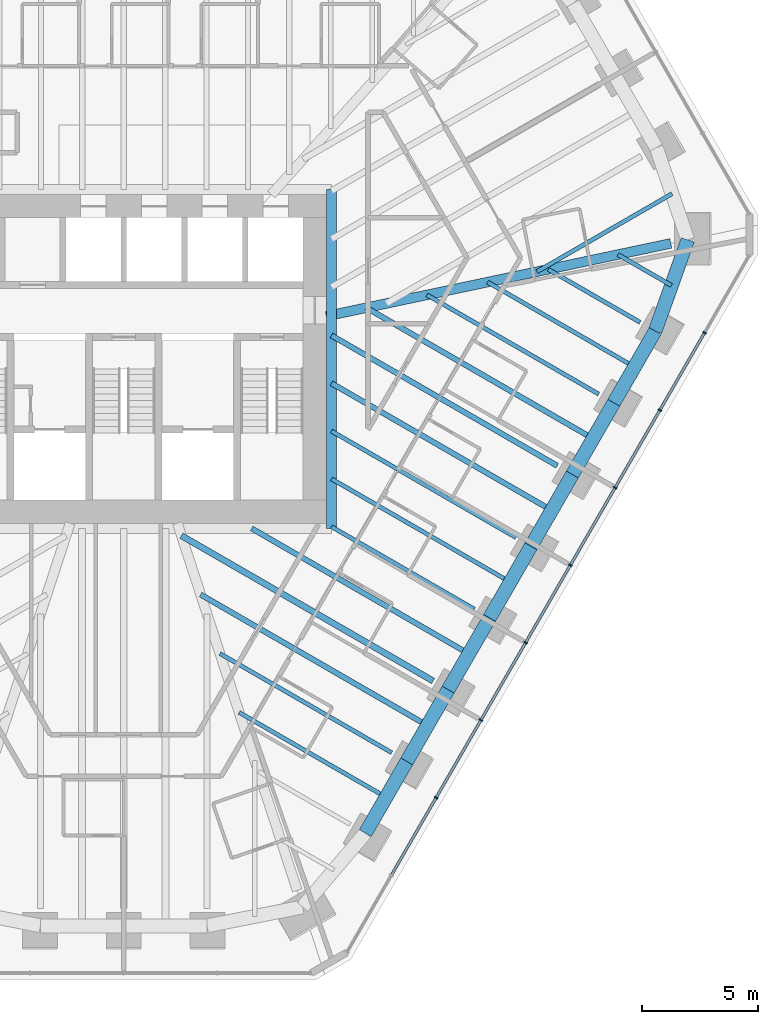
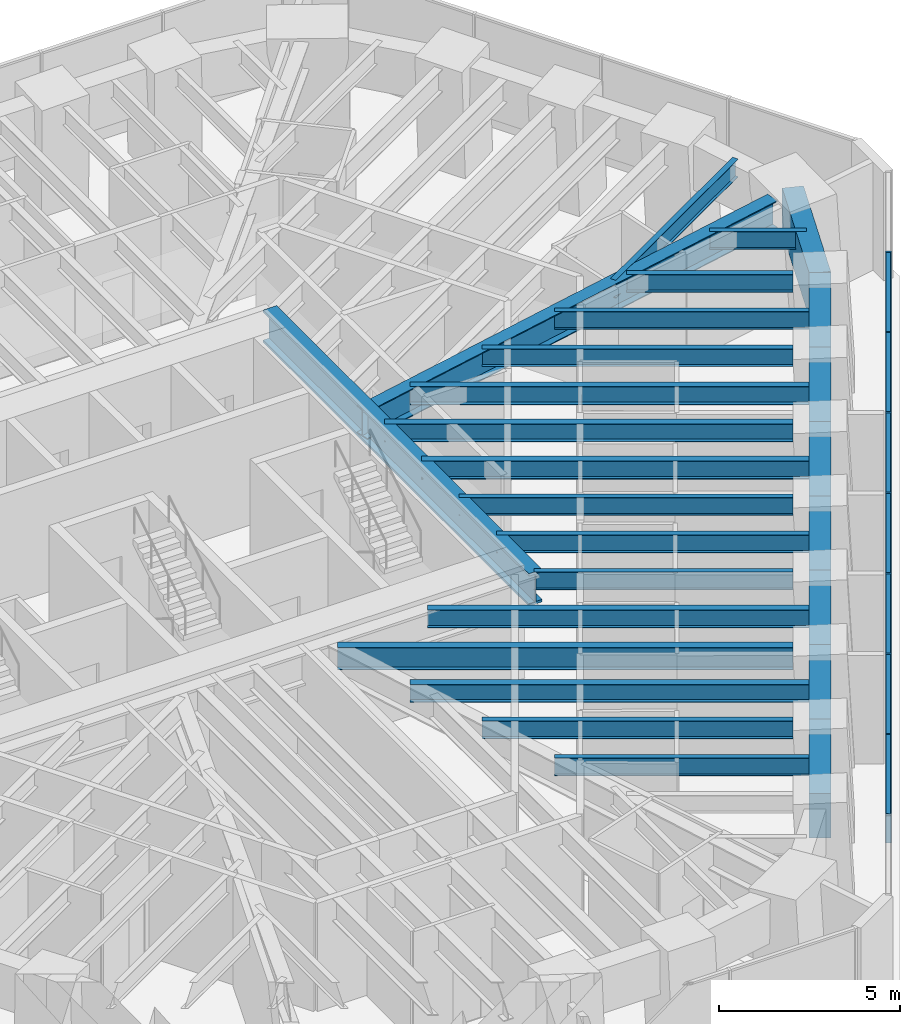
# One storey, part 5 of 17: 26 beams, 14 members, 1 element without a shape of its own.
"""IFC4 building model written with IfcOpenShell, lengths in metres."""

from ifc_helpers import new_model, si_unit, direction, frame, origin, origin_2d, place, context, subcontext, project, spatial, rectangle, i_section, extrude, material, material_profile, profile_set, type_object, element, aggregate, save


model = new_model("IFC4")

# Units and contexts
model_context = context("Model", 3, precision=1e-05, world=origin(), true_north=direction((0.0, 1.0)))
body_context = subcontext(model_context, "Body", "Model", "MODEL_VIEW")
ifc_project = project(units=[si_unit("LENGTHUNIT", "METRE"), si_unit("AREAUNIT", "SQUARE_METRE"), si_unit("VOLUMEUNIT", "CUBIC_METRE"), si_unit("PLANEANGLEUNIT", "RADIAN"), si_unit("MASSUNIT", "GRAM", prefix="KILO")], contexts=[model_context])

# Site, building, storey
site_placement = place(None, origin())
site = spatial("IfcSite", under=ifc_project, at=site_placement, CompositionType="ELEMENT")
building_placement = place(site_placement, origin())
building = spatial("IfcBuilding", under=site, at=building_placement, Name="Sandreach Pilgrim Tower", CompositionType="ELEMENT")
storey_placement = place(building_placement, frame((0.0, 0.0, 240.199951171875)))
storey = spatial("IfcBuildingStorey", under=building, at=storey_placement, Name="L60", CompositionType="ELEMENT", Elevation=240.199951171875)

# Curtain wall, members
ifc_material_1 = material(Name="Aluminium framed curtain wall", Category="aluminium")
curtain_wall_type = type_object("IfcCurtainWallType", Name="Upper hotel tower curtain wall", PredefinedType="NOTDEFINED", material=ifc_material_1)
curtain_wall_placement = place(storey_placement, origin())
curtain_wall = element("IfcCurtainWall", 1, at=curtain_wall_placement, inside=storey, type_object=curtain_wall_type, Name="CW-3 L60 SE", PredefinedType="NOTDEFINED")
ifc_material_2 = material(Name="Aluminium extrusion", Category="aluminium")
ifc_material_profile_1 = material_profile(ifc_material_2, rectangle(XDim=0.06494140625, YDim=0.159912109375, at=origin_2d()), Name="CW-3M 65X160")
ifc_profile_set_1 = profile_set([ifc_material_profile_1], Name="Aluminium extrusion")
member_type_1 = type_object("IfcMemberType", Name="CW-3 mullion", PredefinedType="MULLION", material=ifc_profile_set_1)
member_1_placement = place(storey_placement, frame((25.087890625, 1.13330078125, 0.0), z_axis=(0.0, 0.0, 1.0), x_axis=(-0.5, -0.866025403784, 0.0)))
member_1 = element("IfcMember", 2, at=member_1_placement, type_object=member_type_1, Name="CW-3 mullion 2", PredefinedType="MULLION", context=body_context, shape_type="SweptSolid", body=[
    extrude(rectangle(XDim=0.06494140625, YDim=0.159912109375, at=origin_2d()), origin(), (0.0, 0.0, 1.0), 3.64013671875),
])
member_2_placement = place(storey_placement, frame((23.15576171875, -2.21337890625, 0.0), z_axis=(0.0, 0.0, 1.0), x_axis=(-0.5, -0.866025403784, 0.0)))
member_2 = element("IfcMember", 3, at=member_2_placement, type_object=member_type_1, Name="CW-3 mullion 3", PredefinedType="MULLION", context=body_context, shape_type="SweptSolid", body=[
    extrude(rectangle(XDim=0.06494140625, YDim=0.159912109375, at=origin_2d()), origin(), (0.0, 0.0, 1.0), 3.64013671875),
])
member_3_placement = place(storey_placement, frame((21.223388671875, -5.56005859375, 0.0), z_axis=(0.0, 0.0, 1.0), x_axis=(-0.5, -0.866025403784, 0.0)))
member_3 = element("IfcMember", 4, at=member_3_placement, type_object=member_type_1, Name="CW-3 mullion 4", PredefinedType="MULLION", context=body_context, shape_type="SweptSolid", body=[
    extrude(rectangle(XDim=0.06494140625, YDim=0.159912109375, at=origin_2d()), origin(), (0.0, 0.0, 1.0), 3.64013671875),
])
member_4_placement = place(storey_placement, frame((19.291259765625, -8.90673828125, 0.0), z_axis=(0.0, 0.0, 1.0), x_axis=(-0.5, -0.866025403784, 0.0)))
member_4 = element("IfcMember", 5, at=member_4_placement, type_object=member_type_1, Name="CW-3 mullion 5", PredefinedType="MULLION", context=body_context, shape_type="SweptSolid", body=[
    extrude(rectangle(XDim=0.06494140625, YDim=0.159912109375, at=origin_2d()), origin(), (0.0, 0.0, 1.0), 3.64013671875),
])
member_5_placement = place(storey_placement, frame((17.359130859375, -12.25341796875, 0.0), z_axis=(0.0, 0.0, 1.0), x_axis=(-0.5, -0.866025403784, 0.0)))
member_5 = element("IfcMember", 6, at=member_5_placement, type_object=member_type_1, Name="CW-3 mullion 6", PredefinedType="MULLION", context=body_context, shape_type="SweptSolid", body=[
    extrude(rectangle(XDim=0.06494140625, YDim=0.159912109375, at=origin_2d()), origin(), (0.0, 0.0, 1.0), 3.64013671875),
])
member_6_placement = place(storey_placement, frame((15.4267578125, -15.60009765625, 0.0), z_axis=(0.0, 0.0, 1.0), x_axis=(-0.5, -0.866025403784, 0.0)))
member_6 = element("IfcMember", 7, at=member_6_placement, type_object=member_type_1, Name="CW-3 mullion 7", PredefinedType="MULLION", context=body_context, shape_type="SweptSolid", body=[
    extrude(rectangle(XDim=0.06494140625, YDim=0.159912109375, at=origin_2d()), origin(), (0.0, 0.0, 1.0), 3.64013671875),
])
member_7_placement = place(storey_placement, frame((13.49462890625, -18.94677734375, 0.0), z_axis=(0.0, 0.0, 1.0), x_axis=(-0.5, -0.866025403784, 0.0)))
member_7 = element("IfcMember", 8, at=member_7_placement, type_object=member_type_1, Name="CW-3 mullion 8", PredefinedType="MULLION", context=body_context, shape_type="SweptSolid", body=[
    extrude(rectangle(XDim=0.06494140625, YDim=0.159912109375, at=origin_2d()), origin(), (0.0, 0.0, 1.0), 3.64013671875),
])
ifc_material_3 = material(Name="Aluminium extrusion", Category="aluminium")
ifc_material_profile_2 = material_profile(ifc_material_3, rectangle(XDim=0.1201171875, YDim=0.070068359375, at=origin_2d()), Name="CW-3T 120X70")
ifc_profile_set_2 = profile_set([ifc_material_profile_2], Name="Aluminium extrusion")
member_type_2 = type_object("IfcMemberType", Name="CW-3 transom", PredefinedType="USERDEFINED", material=ifc_profile_set_2)
member_8_placement = place(storey_placement, frame((25.07177734375, 1.105224609375, 3.60498046875), z_axis=(-0.500022797313, -0.86601224135, 0.0), x_axis=(0.86601224135, -0.500022797313, 0.0)))
member_8 = element("IfcMember", 9, at=member_8_placement, type_object=member_type_2, Name="CW-3 head transom 2", ObjectType="TRANSOM", PredefinedType="USERDEFINED", context=body_context, shape_type="SweptSolid", body=[
    extrude(rectangle(XDim=0.1201171875, YDim=0.070068359375, at=origin_2d()), origin(), (0.0, 0.0, 1.0), 3.799560546875),
])
member_9_placement = place(storey_placement, frame((23.139404296875, -2.241455078125, 3.60498046875), z_axis=(-0.499974606132, -0.866040064445, 0.0), x_axis=(0.866040064445, -0.499974606132, 0.0)))
member_9 = element("IfcMember", 10, at=member_9_placement, type_object=member_type_2, Name="CW-3 head transom 3", ObjectType="TRANSOM", PredefinedType="USERDEFINED", context=body_context, shape_type="SweptSolid", body=[
    extrude(rectangle(XDim=0.1201171875, YDim=0.070068359375, at=origin_2d()), origin(), (0.0, 0.0, 1.0), 3.799560546875),
])
member_10_placement = place(storey_placement, frame((21.207275390625, -5.588134765625, 3.60498046875), z_axis=(-0.499974606132, -0.866040064445, 0.0), x_axis=(0.866040064445, -0.499974606132, 0.0)))
member_10 = element("IfcMember", 11, at=member_10_placement, type_object=member_type_2, Name="CW-3 head transom 4", ObjectType="TRANSOM", PredefinedType="USERDEFINED", context=body_context, shape_type="SweptSolid", body=[
    extrude(rectangle(XDim=0.1201171875, YDim=0.070068359375, at=origin_2d()), origin(), (0.0, 0.0, 1.0), 3.799560546875),
])
member_11_placement = place(storey_placement, frame((19.275146484375, -8.934814453125, 3.60498046875), z_axis=(-0.500022797313, -0.86601224135, 0.0), x_axis=(0.86601224135, -0.500022797313, 0.0)))
member_11 = element("IfcMember", 12, at=member_11_placement, type_object=member_type_2, Name="CW-3 head transom 5", ObjectType="TRANSOM", PredefinedType="USERDEFINED", context=body_context, shape_type="SweptSolid", body=[
    extrude(rectangle(XDim=0.1201171875, YDim=0.070068359375, at=origin_2d()), origin(), (0.0, 0.0, 1.0), 3.799560546875),
])
member_12_placement = place(storey_placement, frame((17.3427734375, -12.281494140625, 3.60498046875), z_axis=(-0.499974606132, -0.866040064445, 0.0), x_axis=(0.866040064445, -0.499974606132, 0.0)))
member_12 = element("IfcMember", 13, at=member_12_placement, type_object=member_type_2, Name="CW-3 head transom 6", ObjectType="TRANSOM", PredefinedType="USERDEFINED", context=body_context, shape_type="SweptSolid", body=[
    extrude(rectangle(XDim=0.1201171875, YDim=0.070068359375, at=origin_2d()), origin(), (0.0, 0.0, 1.0), 3.799560546875),
])
member_13_placement = place(storey_placement, frame((15.41064453125, -15.628173828125, 3.60498046875), z_axis=(-0.499974606132, -0.866040064445, 0.0), x_axis=(0.866040064445, -0.499974606132, 0.0)))
member_13 = element("IfcMember", 14, at=member_13_placement, type_object=member_type_2, Name="CW-3 head transom 7", ObjectType="TRANSOM", PredefinedType="USERDEFINED", context=body_context, shape_type="SweptSolid", body=[
    extrude(rectangle(XDim=0.1201171875, YDim=0.070068359375, at=origin_2d()), origin(), (0.0, 0.0, 1.0), 3.799560546875),
])
member_14_placement = place(storey_placement, frame((13.478515625, -18.974853515625, 3.60498046875), z_axis=(-0.500022797313, -0.86601224135, 0.0), x_axis=(0.86601224135, -0.500022797313, 0.0)))
member_14 = element("IfcMember", 15, at=member_14_placement, type_object=member_type_2, Name="CW-3 head transom 8", ObjectType="TRANSOM", PredefinedType="USERDEFINED", context=body_context, shape_type="SweptSolid", body=[
    extrude(rectangle(XDim=0.1201171875, YDim=0.070068359375, at=origin_2d()), origin(), (0.0, 0.0, 1.0), 3.799560546875),
])
aggregate(curtain_wall, [member_1, member_2, member_3, member_4, member_5, member_6, member_7, member_8, member_9, member_10, member_11, member_12, member_13, member_14])

# Beams
ifc_material_4 = material(Name="Steel ASTM A992 Grade 50", Category="steel")
ifc_material_profile_3 = material_profile(ifc_material_4, i_section(OverallWidth=0.424072265625, OverallDepth=1.09228515625, WebThickness=0.04541015625, FlangeThickness=0.08203125, at=origin_2d()), Name="W40X593")
ifc_profile_set_3 = profile_set([ifc_material_profile_3], Name="Steel ASTM A992 Grade 50")
beam_type_1 = type_object("IfcBeamType", Name="Core edge beam W40X593", PredefinedType="BEAM", material=ifc_profile_set_3)
beam_1_placement = place(storey_placement, frame((8.97216796875, 7.322021484375, 3.093994140625), z_axis=(0.0, -1.0, 0.0), x_axis=(1.0, 0.0, 0.0)))
element("IfcBeam", 16, at=beam_1_placement, inside=storey, type_object=beam_type_1, Name="BM L60 CEE", PredefinedType="BEAM", context=body_context, shape_type="SweptSolid", body=[
    extrude(i_section(OverallWidth=0.424072265625, OverallDepth=1.09228515625, WebThickness=0.04541015625, FlangeThickness=0.08203125, at=origin_2d()), origin(), (0.0, 0.0, 1.0), 14.64404296875),
])
ifc_material_5 = material(Name="Steel ASTM A992 Grade 50", Category="steel")
ifc_material_profile_4 = material_profile(ifc_material_5, i_section(OverallWidth=0.419189453125, OverallDepth=0.927001953125, WebThickness=0.019287109375, FlangeThickness=0.031982421875, at=origin_2d()), Name="W36X231")
ifc_profile_set_4 = profile_set([ifc_material_profile_4], Name="Steel ASTM A992 Grade 50")
beam_type_2 = type_object("IfcBeamType", Name="Corner girder W36X231", PredefinedType="BEAM", material=ifc_profile_set_4)
beam_2_placement = place(storey_placement, frame((23.628173828125, 4.98876953125, 3.176513671875), z_axis=(-0.978428839733, -0.206584136802, 0.0), x_axis=(0.206584136802, -0.978428839733, 0.0)))
element("IfcBeam", 17, at=beam_2_placement, inside=storey, type_object=beam_type_2, Name="BM L60 CG13", PredefinedType="BEAM", context=body_context, shape_type="SweptSolid", body=[
    extrude(i_section(OverallWidth=0.419189453125, OverallDepth=0.927001953125, WebThickness=0.019287109375, FlangeThickness=0.031982421875, at=origin_2d()), origin(), (0.0, 0.0, 1.0), 15.206298828125),
])
ifc_material_6 = material(Name="Steel ASTM A992 Grade 50", Category="steel")
ifc_material_profile_5 = material_profile(ifc_material_6, i_section(OverallWidth=0.1787109375, OverallDepth=0.60205078125, WebThickness=0.010986328125, FlangeThickness=0.014892578125, at=origin_2d()), Name="W24X62")
ifc_profile_set_5 = profile_set([ifc_material_profile_5], Name="Steel ASTM A992 Grade 50")
beam_type_3 = type_object("IfcBeamType", Name="Floor beam W24X62", PredefinedType="BEAM", material=ifc_profile_set_5)
beam_3_placement = place(storey_placement, frame((22.304443359375, 1.578369140625, 3.339111328125), z_axis=(-0.866025975094, 0.499999010461, 0.0), x_axis=(-0.499999010461, -0.866025975094, 0.0)))
element("IfcBeam", 18, at=beam_3_placement, inside=storey, type_object=beam_type_3, Name="BM L60 F14", PredefinedType="BEAM", context=body_context, shape_type="SweptSolid", body=[
    extrude(i_section(OverallWidth=0.1787109375, OverallDepth=0.60205078125, WebThickness=0.010986328125, FlangeThickness=0.014892578125, at=origin_2d()), origin(), (0.0, 0.0, 1.0), 4.5849609375),
])
beam_4_placement = place(storey_placement, frame((20.515869140625, -1.519287109375, 3.339111328125), z_axis=(-0.866025207386, 0.500000340173, 0.0), x_axis=(-0.500000340173, -0.866025207386, 0.0)))
element("IfcBeam", 19, at=beam_4_placement, inside=storey, type_object=beam_type_3, Name="BM L60 F15", PredefinedType="BEAM", context=body_context, shape_type="SweptSolid", body=[
    extrude(i_section(OverallWidth=0.1787109375, OverallDepth=0.60205078125, WebThickness=0.010986328125, FlangeThickness=0.014892578125, at=origin_2d()), origin(), (0.0, 0.0, 1.0), 8.568359375),
])
beam_5_placement = place(storey_placement, frame((16.93896484375, -7.714599609375, 3.339111328125), z_axis=(-0.86602648383, 0.499998129301, 0.0), x_axis=(-0.499998129301, -0.86602648383, 0.0)))
element("IfcBeam", 20, at=beam_5_placement, inside=storey, type_object=beam_type_3, Name="BM L60 F17", PredefinedType="BEAM", context=body_context, shape_type="SweptSolid", body=[
    extrude(i_section(OverallWidth=0.1787109375, OverallDepth=0.60205078125, WebThickness=0.010986328125, FlangeThickness=0.014892578125, at=origin_2d()), origin(), (0.0, 0.0, 1.0), 9.19921875),
])
beam_6_placement = place(storey_placement, frame((15.150634765625, -10.812255859375, 3.339111328125), z_axis=(-0.866025452127, 0.499999916269, 0.0), x_axis=(-0.499999916269, -0.866025452127, 0.0)))
element("IfcBeam", 21, at=beam_6_placement, inside=storey, type_object=beam_type_3, Name="BM L60 F18", PredefinedType="BEAM", context=body_context, shape_type="SweptSolid", body=[
    extrude(i_section(OverallWidth=0.1787109375, OverallDepth=0.60205078125, WebThickness=0.010986328125, FlangeThickness=0.014892578125, at=origin_2d()), origin(), (0.0, 0.0, 1.0), 7.13427734375),
])
beam_7_placement = place(storey_placement, frame((11.57373046875, -17.007568359375, 3.339111328125), z_axis=(-0.866025207386, 0.500000340173, 0.0), x_axis=(-0.500000340173, -0.866025207386, 0.0)))
element("IfcBeam", 22, at=beam_7_placement, inside=storey, type_object=beam_type_3, Name="BM L60 F20", PredefinedType="BEAM", context=body_context, shape_type="SweptSolid", body=[
    extrude(i_section(OverallWidth=0.1787109375, OverallDepth=0.60205078125, WebThickness=0.010986328125, FlangeThickness=0.014892578125, at=origin_2d()), origin(), (0.0, 0.0, 1.0), 8.568359375),
])
beam_8_placement = place(storey_placement, frame((23.682861328125, 7.13623046875, 3.339111328125), z_axis=(-0.866032863903, -0.499987078473, 0.0), x_axis=(0.499987078473, -0.866032863903, 0.0)))
element("IfcBeam", 23, at=beam_8_placement, inside=storey, type_object=beam_type_3, Name="BM L60 FM12", PredefinedType="BEAM", context=body_context, shape_type="SweptSolid", body=[
    extrude(i_section(OverallWidth=0.1787109375, OverallDepth=0.60205078125, WebThickness=0.010986328125, FlangeThickness=0.014892578125, at=origin_2d()), origin(), (0.0, 0.0, 1.0), 6.735107421875),
])
beam_9_placement = place(storey_placement, frame((23.657958984375, 3.17333984375, 3.339111328125), z_axis=(-0.865981341435, 0.500076310463, 0.0), x_axis=(-0.500076310463, -0.865981341435, 0.0)))
element("IfcBeam", 24, at=beam_9_placement, inside=storey, type_object=beam_type_3, Name="BM L60 FM13", PredefinedType="BEAM", context=body_context, shape_type="SweptSolid", body=[
    extrude(i_section(OverallWidth=0.1787109375, OverallDepth=0.60205078125, WebThickness=0.010986328125, FlangeThickness=0.014892578125, at=origin_2d()), origin(), (0.0, 0.0, 1.0), 2.66748046875),
])
beam_10_placement = place(storey_placement, frame((22.0595703125, -0.345458984375, 3.339111328125), z_axis=(-0.866021885163, 0.500006094381, 0.0), x_axis=(-0.500006094381, -0.866021885163, 0.0)))
element("IfcBeam", 25, at=beam_10_placement, inside=storey, type_object=beam_type_3, Name="BM L60 FM14", PredefinedType="BEAM", context=body_context, shape_type="SweptSolid", body=[
    extrude(i_section(OverallWidth=0.1787109375, OverallDepth=0.60205078125, WebThickness=0.010986328125, FlangeThickness=0.014892578125, at=origin_2d()), origin(), (0.0, 0.0, 1.0), 7.32666015625),
])
beam_11_placement = place(storey_placement, frame((16.6943359375, -9.638427734375, 3.339111328125), z_axis=(-0.866020531195, 0.500008439478, 0.0), x_axis=(-0.500008439478, -0.866020531195, 0.0)))
element("IfcBeam", 26, at=beam_11_placement, inside=storey, type_object=beam_type_3, Name="BM L60 FM17", PredefinedType="BEAM", context=body_context, shape_type="SweptSolid", body=[
    extrude(i_section(OverallWidth=0.1787109375, OverallDepth=0.60205078125, WebThickness=0.010986328125, FlangeThickness=0.014892578125, at=origin_2d()), origin(), (0.0, 0.0, 1.0), 8.916748046875),
])
beam_12_placement = place(storey_placement, frame((11.3291015625, -18.931396484375, 3.339111328125), z_axis=(-0.866030215664, 0.499991665488, 0.0), x_axis=(-0.499991665488, -0.866030215664, 0.0)))
element("IfcBeam", 27, at=beam_12_placement, inside=storey, type_object=beam_type_3, Name="BM L60 FM20", PredefinedType="BEAM", context=body_context, shape_type="SweptSolid", body=[
    extrude(i_section(OverallWidth=0.1787109375, OverallDepth=0.60205078125, WebThickness=0.010986328125, FlangeThickness=0.014892578125, at=origin_2d()), origin(), (0.0, 0.0, 1.0), 7.326904296875),
])
ifc_material_7 = material(Name="Steel ASTM A992 Grade 50", Category="steel")
ifc_material_profile_6 = material_profile(ifc_material_7, i_section(OverallWidth=0.23046875, OverallDepth=0.6171875, WebThickness=0.01318359375, FlangeThickness=0.022216796875, at=origin_2d()), Name="W24X94")
ifc_profile_set_6 = profile_set([ifc_material_profile_6], Name="Steel ASTM A992 Grade 50")
beam_type_4 = type_object("IfcBeamType", Name="Floor beam W24X94", PredefinedType="BEAM", material=ifc_profile_set_6)
beam_13_placement = place(storey_placement, frame((18.7275390625, -4.616943359375, 3.33154296875), z_axis=(-0.866023170714, 0.500003867771, 0.0), x_axis=(-0.500003867771, -0.866023170714, 0.0)))
element("IfcBeam", 28, at=beam_13_placement, inside=storey, type_object=beam_type_4, Name="BM L60 F16", PredefinedType="BEAM", context=body_context, shape_type="SweptSolid", body=[
    extrude(i_section(OverallWidth=0.23046875, OverallDepth=0.6171875, WebThickness=0.01318359375, FlangeThickness=0.022216796875, at=origin_2d()), origin(), (0.0, 0.0, 1.0), 11.2646484375),
])
beam_14_placement = place(storey_placement, frame((20.271240234375, -3.443115234375, 3.33154296875), z_axis=(-0.866028140569, 0.499995259721, 0.0), x_axis=(-0.499995259721, -0.866028140569, 0.0)))
element("IfcBeam", 29, at=beam_14_placement, inside=storey, type_object=beam_type_4, Name="BM L60 FM15", PredefinedType="BEAM", context=body_context, shape_type="SweptSolid", body=[
    extrude(i_section(OverallWidth=0.23046875, OverallDepth=0.6171875, WebThickness=0.01318359375, FlangeThickness=0.022216796875, at=origin_2d()), origin(), (0.0, 0.0, 1.0), 11.31005859375),
])
beam_15_placement = place(storey_placement, frame((18.48291015625, -6.540771484375, 3.33154296875), z_axis=(-0.866027878559, 0.49999571354, 0.0), x_axis=(-0.49999571354, -0.866027878559, 0.0)))
element("IfcBeam", 30, at=beam_15_placement, inside=storey, type_object=beam_type_4, Name="BM L60 FM16", PredefinedType="BEAM", context=body_context, shape_type="SweptSolid", body=[
    extrude(i_section(OverallWidth=0.23046875, OverallDepth=0.6171875, WebThickness=0.01318359375, FlangeThickness=0.022216796875, at=origin_2d()), origin(), (0.0, 0.0, 1.0), 10.98193359375),
])
beam_16_placement = place(storey_placement, frame((14.906005859375, -12.736083984375, 3.33154296875), z_axis=(-0.866025636532, 0.499999596869, 0.0), x_axis=(-0.499999596869, -0.866025636532, 0.0)))
element("IfcBeam", 31, at=beam_16_placement, inside=storey, type_object=beam_type_4, Name="BM L60 FM18", PredefinedType="BEAM", context=body_context, shape_type="SweptSolid", body=[
    extrude(i_section(OverallWidth=0.23046875, OverallDepth=0.6171875, WebThickness=0.01318359375, FlangeThickness=0.022216796875, at=origin_2d()), origin(), (0.0, 0.0, 1.0), 10.828125),
])
beam_17_placement = place(storey_placement, frame((13.117431640625, -15.833740234375, 3.33154296875), z_axis=(-0.866028140569, 0.499995259721, 0.0), x_axis=(-0.499995259721, -0.866028140569, 0.0)))
element("IfcBeam", 32, at=beam_17_placement, inside=storey, type_object=beam_type_4, Name="BM L60 FM19", PredefinedType="BEAM", context=body_context, shape_type="SweptSolid", body=[
    extrude(i_section(OverallWidth=0.23046875, OverallDepth=0.6171875, WebThickness=0.01318359375, FlangeThickness=0.022216796875, at=origin_2d()), origin(), (0.0, 0.0, 1.0), 11.31005859375),
])
ifc_material_8 = material(Name="Steel ASTM A992 Grade 50", Category="steel")
ifc_material_profile_7 = material_profile(ifc_material_8, i_section(OverallWidth=0.2666015625, OverallDepth=0.761962890625, WebThickness=0.014404296875, FlangeThickness=0.021484375, at=origin_2d()), Name="W30X116")
ifc_profile_set_7 = profile_set([ifc_material_profile_7], Name="Steel ASTM A992 Grade 50")
beam_type_5 = type_object("IfcBeamType", Name="Floor beam W30X116", PredefinedType="BEAM", material=ifc_profile_set_7)
beam_18_placement = place(storey_placement, frame((13.3623046875, -13.909912109375, 3.259033203125), z_axis=(-0.866029789531, 0.499992403587, 0.0), x_axis=(-0.499992403587, -0.866029789531, 0.0)))
element("IfcBeam", 33, at=beam_18_placement, inside=storey, type_object=beam_type_5, Name="BM L60 F19", PredefinedType="BEAM", context=body_context, shape_type="SweptSolid", body=[
    extrude(i_section(OverallWidth=0.2666015625, OverallDepth=0.761962890625, WebThickness=0.014404296875, FlangeThickness=0.021484375, at=origin_2d()), origin(), (0.0, 0.0, 1.0), 12.552001953125),
])
ifc_material_9 = material(Name="Concrete 10000 psi", Category="concrete")
ifc_material_profile_8 = material_profile(ifc_material_9, rectangle(XDim=0.60009765625, YDim=1.5, at=origin_2d()), Name="RC600X1500")
ifc_profile_set_8 = profile_set([ifc_material_profile_8], Name="Concrete 10000 psi")
beam_type_6 = type_object("IfcBeamType", Name="Spandrel beam RC600X1500", PredefinedType="SPANDREL", material=ifc_profile_set_8)
beam_19_placement = place(storey_placement, frame((24.36181640625, 5.1435546875, 2.89013671875), z_axis=(-0.336495332245, -0.941685133883, 0.0), x_axis=(0.941685133883, -0.336495332245, 0.0)))
element("IfcBeam", 34, at=beam_19_placement, inside=storey, type_object=beam_type_6, Name="BM L60 SP13", PredefinedType="SPANDREL", context=body_context, shape_type="SweptSolid", body=[
    extrude(rectangle(XDim=0.60009765625, YDim=1.5, at=origin_2d()), origin(), (0.0, 0.0, 1.0), 4.18408203125),
])
for number, where, z_axis, x_axis, name in (
    (35, (22.953857421875, 1.203369140625, 2.89013671875), (-0.499978488034, -0.866037823368, 0.0), (0.866037823368, -0.499978488034, 0.0), "BM L60 SP14"),
    (36, (21.16552734375, -1.894287109375, 2.89013671875), (-0.500029679218, -0.866008267802, 0.0), (0.866008267802, -0.500029679218, 0.0), "BM L60 SP15"),
    (37, (19.376953125, -4.991943359375, 2.89013671875), (-0.499978488034, -0.866037823368, 0.0), (0.866037823368, -0.499978488034, 0.0), "BM L60 SP16"),
    (38, (17.588623046875, -8.089599609375, 2.89013671875), (-0.500029679218, -0.866008267802, 0.0), (0.866008267802, -0.500029679218, 0.0), "BM L60 SP17"),
    (39, (15.800048828125, -11.187255859375, 2.89013671875), (-0.499978488034, -0.866037823368, 0.0), (0.866037823368, -0.499978488034, 0.0), "BM L60 SP18"),
    (40, (14.01171875, -14.284912109375, 2.89013671875), (-0.499978488034, -0.866037823368, 0.0), (0.866037823368, -0.499978488034, 0.0), "BM L60 SP19"),
    (41, (12.223388671875, -17.382568359375, 2.89013671875), (-0.500029679218, -0.866008267802, 0.0), (0.866008267802, -0.500029679218, 0.0), "BM L60 SP20"),
):
    element("IfcBeam", number, at=place(storey_placement, frame(where, z_axis=z_axis, x_axis=x_axis)), inside=storey, type_object=beam_type_6, Name=name, PredefinedType="SPANDREL", context=body_context, shape_type="SweptSolid", body=[
        extrude(rectangle(XDim=0.60009765625, YDim=1.5, at=origin_2d()), origin(), (0.0, 0.0, 1.0), 3.576904296875),
    ])

save(model, "model.ifc")
